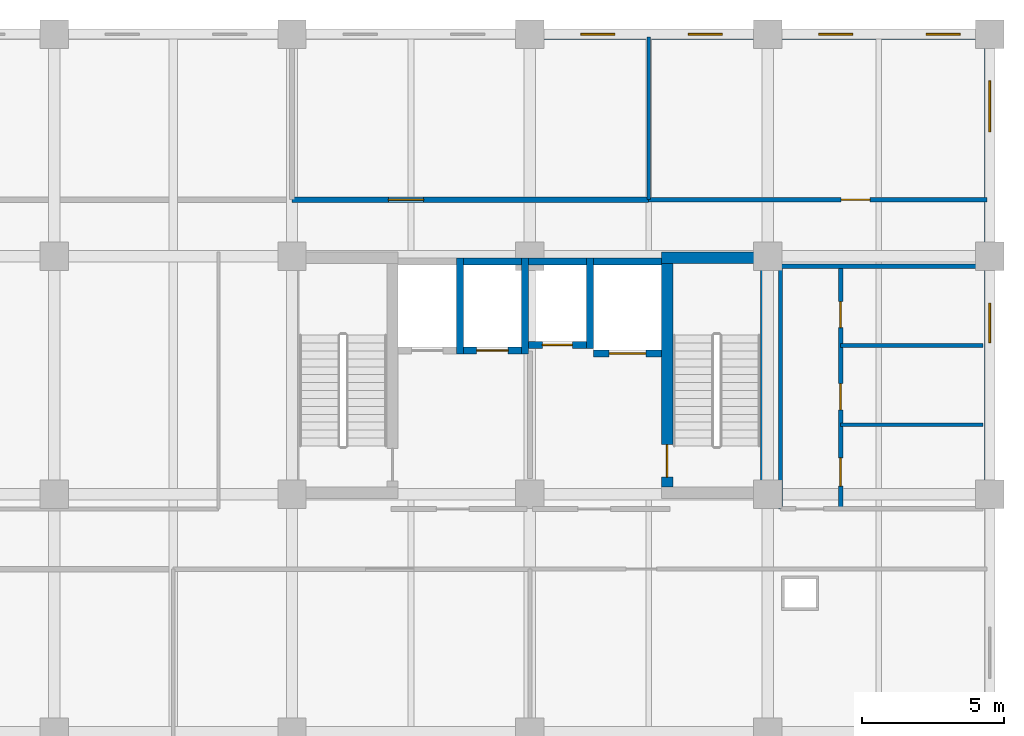
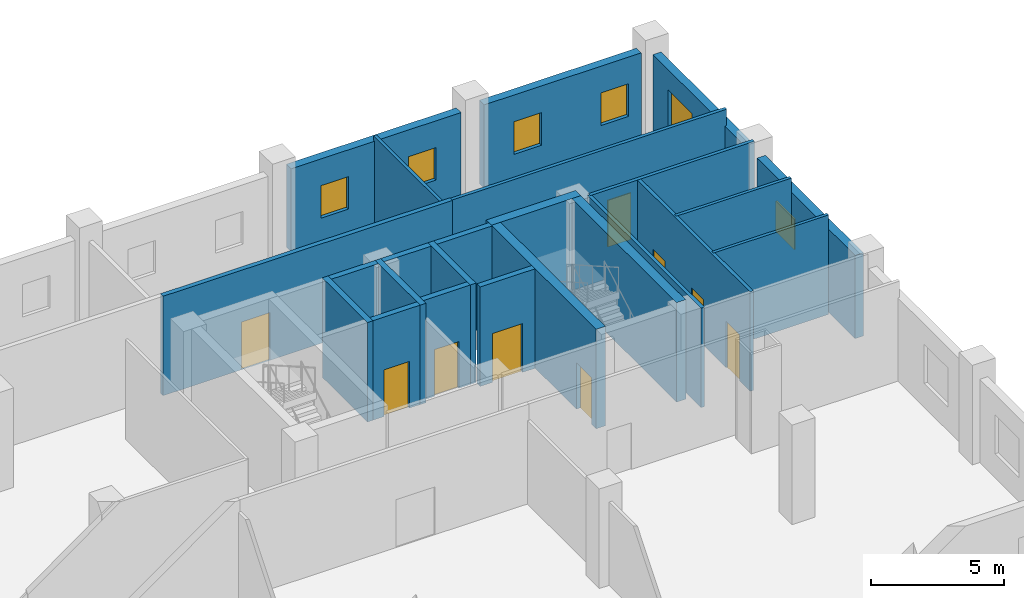
# One storey, part 25 of 31: 24 walls, 9 doors, 6 windows, 15 openings.
"""IFC4 building model written with IfcOpenShell, lengths in metres."""

import ifcopenshell
import ifcopenshell.guid

model = None  # the IFC model being written
_history = None  # IfcOwnerHistory: only IFC2X3 demands one
_inside = {}  # id of a spatial element -> (the spatial element, [elements in it])
_under = {}  # id of a project, library or spatial element -> (it, [spatial elements below it])
_declared = {}  # id of a project -> (the project, [libraries it declares])
_typed = {}  # id of a type object -> (the type object, [elements of that type])
_made_of = {}  # id of a material, layer set ... -> (it, [elements and type objects made of it])


def new_model(schema):
    """Start an empty IFC model of exactly this schema.

    Asked for "IFC4X3", IfcOpenShell would pick the latest addendum, in which some entities
    have other attributes; the version numbers below select the first issue.
    IFC2X3 requires an IfcOwnerHistory on every rooted entity: one is made here for all.
    """
    global model, _history
    if schema == "IFC4X3":
        model = ifcopenshell.file(schema_version=(4, 3, 0, 0))
    else:
        model = ifcopenshell.file(schema=schema)
    _inside.clear()
    _under.clear()
    _declared.clear()
    _typed.clear()
    _made_of.clear()
    _history = None
    if model.schema == "IFC2X3":
        org = make("IfcOrganization", Name="unknown")
        user = make(
            "IfcPersonAndOrganization",
            ThePerson=make("IfcPerson", FamilyName="unknown"),
            TheOrganization=org,
        )
        app = make(
            "IfcApplication",
            ApplicationDeveloper=org,
            Version="unknown",
            ApplicationFullName="unknown",
            ApplicationIdentifier="unknown",
        )
        _history = make(
            "IfcOwnerHistory",
            OwningUser=user,
            OwningApplication=app,
            ChangeAction="ADDED",
            CreationDate=0,
        )
    return model


def make(cls, **values):
    """One entity of the class cls with the attributes given. An attribute that is None is left unset."""
    return model.create_entity(
        cls, **{name: value for name, value in values.items() if value is not None}
    )


def rooted(cls, **values):
    """An entity with a GlobalId (a new one), such as an element, a storey or a relation."""
    return make(cls, GlobalId=ifcopenshell.guid.new(), OwnerHistory=_history, **values)


def si_unit(unit_type, name, prefix=None):
    """IfcSIUnit, for example si_unit("LENGTHUNIT", "METRE", prefix="MILLI")."""
    return make("IfcSIUnit", UnitType=unit_type, Prefix=prefix, Name=name)


def assignment(units):
    """IfcUnitAssignment: the units of a project."""
    return None if units is None else make("IfcUnitAssignment", Units=units)


def point(xyz):
    """IfcCartesianPoint."""
    return None if xyz is None else make("IfcCartesianPoint", Coordinates=xyz)


def direction(xyz):
    """IfcDirection."""
    return None if xyz is None else make("IfcDirection", DirectionRatios=xyz)


def frame(location, z_axis=None, x_axis=None):
    """IfcAxis2Placement3D, a coordinate frame: its origin and axes. An axis left out is left unset."""
    return make(
        "IfcAxis2Placement3D",
        Location=point(location),
        Axis=direction(z_axis),
        RefDirection=direction(x_axis),
    )


def frame_2d(location, x_axis=None):
    """IfcAxis2Placement2D, a coordinate frame in the plane: its origin and x axis."""
    return make(
        "IfcAxis2Placement2D", Location=point(location), RefDirection=direction(x_axis)
    )


def origin():
    """The frame at (0, 0, 0) with its axes left unset."""
    return frame((0.0, 0.0, 0.0))


def place(relative_to, where):
    """IfcLocalPlacement: puts the frame where relative to a parent placement (None: the world)."""
    return make(
        "IfcLocalPlacement", PlacementRelTo=relative_to, RelativePlacement=where
    )


def context(
    kind, dimensions, precision=None, world=None, true_north=None, identifier=None
):
    """IfcGeometricRepresentationContext, for example the 3D "Model" context."""
    return make(
        "IfcGeometricRepresentationContext",
        ContextIdentifier=identifier,
        ContextType=kind,
        CoordinateSpaceDimension=dimensions,
        Precision=precision,
        WorldCoordinateSystem=world,
        TrueNorth=true_north,
    )


def subcontext(parent, identifier, kind, view, scale=None):
    """IfcGeometricRepresentationSubContext, for example "Body" below "Model"."""
    return make(
        "IfcGeometricRepresentationSubContext",
        ContextIdentifier=identifier,
        ContextType=kind,
        ParentContext=parent,
        TargetScale=scale,
        TargetView=view,
    )


def project(units=None, contexts=None):
    """IfcProject with its units and contexts."""
    return rooted(
        "IfcProject",
        Name="project",
        RepresentationContexts=contexts,
        UnitsInContext=assignment(units),
    )


def spatial(cls, under=None, at=None, **own):
    """A site, building, storey or space (cls), placed at a placement, below another one or the project."""
    s = rooted(cls, ObjectPlacement=at, **own)
    if under is not None:
        _under.setdefault(under.id(), (under, []))[1].append(s)
    return s


def profile(cls, at=None, kind="AREA", **sizes):
    """A parametric profile (cls). Its sizes go by their IFC names, for example OverallWidth=200.0."""
    return make(cls, ProfileType=kind, Position=at, **sizes)


def rectangle(**sizes):
    """IfcRectangleProfileDef."""
    return profile("IfcRectangleProfileDef", **sizes)


def extrude(swept, where, along, depth):
    """IfcExtrudedAreaSolid: the profile swept, set in the frame where, extruded along a direction by depth."""
    return make(
        "IfcExtrudedAreaSolid",
        SweptArea=swept,
        Position=where,
        ExtrudedDirection=direction(along),
        Depth=depth,
    )


def shape(context_of_items, identifier, shape_type, items):
    """IfcShapeRepresentation: the items that make up one representation, for example the "Body"."""
    return make(
        "IfcShapeRepresentation",
        ContextOfItems=context_of_items,
        RepresentationIdentifier=identifier,
        RepresentationType=shape_type,
        Items=items,
    )


def material(Name=None, Category=None):
    """IfcMaterial."""
    return make("IfcMaterial", Name=Name, Category=Category)


def layer(
    of_material, thickness, ventilated=None, Name=None, Category=None, Priority=None
):
    """IfcMaterialLayer: one layer of a wall or slab, of a material (None: an air gap)."""
    return make(
        "IfcMaterialLayer",
        Material=of_material,
        LayerThickness=thickness,
        IsVentilated=ventilated,
        Name=Name,
        Category=Category,
        Priority=Priority,
    )


def layer_set(layers, Name=None):
    """IfcMaterialLayerSet."""
    return make("IfcMaterialLayerSet", MaterialLayers=layers, LayerSetName=Name)


def made_of(thing, what):
    """Note that an element or type object is made of a material, layer set ...; save() writes the relation."""
    if what is not None:
        _made_of.setdefault(what.id(), (what, []))[1].append(thing)
    return thing


def type_object(cls, material=None, **own):
    """A type object (cls), such as IfcWallType, which elements share."""
    return made_of(rooted(cls, **own), material)


def element(
    cls,
    number,
    at=None,
    inside=None,
    cuts=None,
    type_object=None,
    material=None,
    context=None,
    identifier="Body",
    shape_type=None,
    held_by="IfcProductDefinitionShape",
    body=None,
    shapes=None,
    **own,
):
    """One element of the class cls, such as IfcWall. Its Tag is "e" and its number.

    at: its placement. inside: the storey or other place that contains it. cuts: it is an
    opening in that element (IfcRelVoidsElement). A single representation is given by context,
    identifier, shape_type and body (its items); several are given by shapes. held_by: the class
    of the entity that holds the representations. save() writes the other relations.
    """
    e = rooted(cls, Tag="e%d" % number, ObjectPlacement=at, **own)
    if body is not None:
        shapes = [shape(context, identifier, shape_type, body)]
    if shapes is not None:
        e.Representation = make(held_by, Representations=shapes)
    if inside is not None:
        _inside.setdefault(inside.id(), (inside, []))[1].append(e)
    if cuts is not None:
        rooted(
            "IfcRelVoidsElement", RelatingBuildingElement=cuts, RelatedOpeningElement=e
        )
    if type_object is not None:
        _typed.setdefault(type_object.id(), (type_object, []))[1].append(e)
    return made_of(e, material)


def fill(opening, filler):
    """IfcRelFillsElement: the door or window that sits in an opening."""
    return rooted(
        "IfcRelFillsElement",
        RelatingOpeningElement=opening,
        RelatedBuildingElement=filler,
    )


def aggregate(whole, parts):
    """IfcRelAggregates: a whole, such as a stair, and the parts it consists of."""
    return rooted("IfcRelAggregates", RelatingObject=whole, RelatedObjects=parts)


def save(model, path):
    """Write the relations noted so far, then the file.

    IfcRelAggregates (storeys below a building ...), IfcRelContainedInSpatialStructure (elements
    in a storey), IfcRelDefinesByType, IfcRelAssociatesMaterial and IfcRelDeclares: one each for
    every whole, place, type object, material and project.
    """
    for whole, parts in _under.values():
        aggregate(whole, parts)
    for where, things in _inside.values():
        rooted(
            "IfcRelContainedInSpatialStructure",
            RelatedElements=things,
            RelatingStructure=where,
        )
    for kind, things in _typed.values():
        rooted("IfcRelDefinesByType", RelatedObjects=things, RelatingType=kind)
    for what, things in _made_of.values():
        rooted("IfcRelAssociatesMaterial", RelatedObjects=things, RelatingMaterial=what)
    for by, libraries in _declared.values():
        rooted("IfcRelDeclares", RelatingContext=by, RelatedDefinitions=libraries)
    model.write(path)


model = new_model("IFC4")

# Units and contexts
model_context = context("Model", 3, precision=1e-05, world=origin(), true_north=direction((0.0, 1.0)))
body_context = subcontext(model_context, "Body", "Model", "MODEL_VIEW")
ifc_project = project(units=[si_unit("LENGTHUNIT", "METRE"), si_unit("AREAUNIT", "SQUARE_METRE"), si_unit("VOLUMEUNIT", "CUBIC_METRE"), si_unit("PLANEANGLEUNIT", "RADIAN"), si_unit("MASSUNIT", "GRAM", prefix="KILO")], contexts=[model_context])

# Site, building, storey
site_placement = place(None, origin())
site = spatial("IfcSite", under=ifc_project, at=site_placement, CompositionType="ELEMENT")
building_placement = place(site_placement, origin())
building = spatial("IfcBuilding", under=site, at=building_placement, Name="Brinegate Botanical Conservatory", CompositionType="ELEMENT")
storey_placement = place(building_placement, frame((0.0, 0.0, 5.39990234375)))
storey = spatial("IfcBuildingStorey", under=building, at=storey_placement, Name="L02", CompositionType="ELEMENT", Elevation=5.39990234375)

# Wall, openings, windows
ifc_material_1 = material(Name="Insulated Minnan red clay brick masonry", Category="masonry")
ifc_layer_1 = layer(ifc_material_1, 0.360107421875, Name="Insulated Minnan red clay brick masonry", Category="masonry")
ifc_layer_set_1 = layer_set([ifc_layer_1], Name="Insulated Minnan red clay brick masonry")
wall_type_1 = type_object("IfcWallType", Name="Wall_EW-360B", PredefinedType="STANDARD", material=ifc_layer_set_1)
wall_1_placement = place(storey_placement, frame((147.699951171875, 111.449951171875, 0.0), z_axis=(0.0, 0.0, 1.0), x_axis=(1.0, 0.0, 0.0)))
wall_1 = element("IfcWall", 1, at=wall_1_placement, inside=storey, type_object=wall_type_1, Name="Herbarium north insulated red-brick wall L02.4", PredefinedType="STANDARD", context=body_context, shape_type="SweptSolid", body=[
    extrude(rectangle(XDim=7.400146484375, YDim=0.360107421875, at=frame_2d((3.7001953125, 0.0))), origin(), (0.0, 0.0, 1.0), 3.830078125),
])
opening_1_placement = place(wall_1_placement, frame((1.300048828125, 0.0, 1.10009765625)))
opening_1 = element("IfcOpeningElement", 2, at=opening_1_placement, cuts=wall_1, Name="Opening WN-07", PredefinedType="OPENING", context=body_context, shape_type="SweptSolid", body=[
    extrude(rectangle(XDim=1.199951171875, YDim=1.5, at=frame_2d((0.60009765625, 0.75))), frame((0.0, 0.18994140625, 0.0), z_axis=(0.0, -1.0, 0.0), x_axis=(1.0, 0.0, 0.0)), (0.0, 0.0, 1.0), 0.380126953125),
])
opening_2_placement = place(wall_1_placement, frame((5.10009765625, 0.0, 1.10009765625)))
opening_2 = element("IfcOpeningElement", 3, at=opening_2_placement, cuts=wall_1, Name="Opening WN-07", PredefinedType="OPENING", context=body_context, shape_type="SweptSolid", body=[
    extrude(rectangle(XDim=1.199951171875, YDim=1.5, at=frame_2d((0.60009765625, 0.75))), frame((0.0, 0.18994140625, 0.0), z_axis=(0.0, -1.0, 0.0), x_axis=(1.0, 0.0, 0.0)), (0.0, 0.0, 1.0), 0.380126953125),
])
ifc_material_2 = material(Name="Thermally broken aluminium-framed Low-E glass", Category="aluminium")
window_type_1 = type_object("IfcWindowType", Name="Win_WN-07", PartitioningType="SINGLE_PANEL", PredefinedType="WINDOW", material=ifc_material_2)
window_1_placement = place(opening_1_placement, origin())
window_1 = element("IfcWindow", 4, at=window_1_placement, inside=storey, type_object=window_type_1, Name="Herbarium north UV-filtered window L02.4A", OverallHeight=1.5, OverallWidth=1.199951171875, PartitioningType="SINGLE_PANEL", PredefinedType="WINDOW", context=body_context, shape_type="SweptSolid", body=[
    extrude(rectangle(XDim=1.199951171875, YDim=1.5, at=frame_2d((0.60009765625, 0.75))), frame((0.0, 0.030029296875, 0.0), z_axis=(0.0, -1.0, 0.0), x_axis=(1.0, 0.0, 0.0)), (0.0, 0.0, 1.0), 0.06005859375),
])
fill(opening_1, window_1)
window_2_placement = place(opening_2_placement, origin())
window_2 = element("IfcWindow", 5, at=window_2_placement, inside=storey, type_object=window_type_1, Name="Herbarium north UV-filtered window L02.4B", OverallHeight=1.5, OverallWidth=1.199951171875, PartitioningType="SINGLE_PANEL", PredefinedType="WINDOW", context=body_context, shape_type="SweptSolid", body=[
    extrude(rectangle(XDim=1.199951171875, YDim=1.5, at=frame_2d((0.60009765625, 0.75))), frame((0.0, 0.030029296875, 0.0), z_axis=(0.0, -1.0, 0.0), x_axis=(1.0, 0.0, 0.0)), (0.0, 0.0, 1.0), 0.06005859375),
])
fill(opening_2, window_2)

wall_2_placement = place(storey_placement, frame((156.10009765625, 111.449951171875, 0.0), z_axis=(0.0, 0.0, 1.0), x_axis=(1.0, 0.0, 0.0)))
wall_2 = element("IfcWall", 6, at=wall_2_placement, inside=storey, type_object=wall_type_1, Name="Herbarium north insulated red-brick wall L02.5", PredefinedType="STANDARD", context=body_context, shape_type="SweptSolid", body=[
    extrude(rectangle(XDim=6.849853515625, YDim=0.360107421875, at=frame_2d((3.4248046875, 0.0))), origin(), (0.0, 0.0, 1.0), 3.830078125),
])
opening_3_placement = place(wall_2_placement, frame((1.300048828125, 0.0, 1.10009765625)))
opening_3 = element("IfcOpeningElement", 7, at=opening_3_placement, cuts=wall_2, Name="Opening WN-07", PredefinedType="OPENING", context=body_context, shape_type="SweptSolid", body=[
    extrude(rectangle(XDim=1.199951171875, YDim=1.5, at=frame_2d((0.60009765625, 0.75))), frame((0.0, 0.18994140625, 0.0), z_axis=(0.0, -1.0, 0.0), x_axis=(1.0, 0.0, 0.0)), (0.0, 0.0, 1.0), 0.380126953125),
])
opening_4_placement = place(wall_2_placement, frame((5.10009765625, 0.0, 1.10009765625)))
opening_4 = element("IfcOpeningElement", 8, at=opening_4_placement, cuts=wall_2, Name="Opening WN-07", PredefinedType="OPENING", context=body_context, shape_type="SweptSolid", body=[
    extrude(rectangle(XDim=1.199951171875, YDim=1.5, at=frame_2d((0.60009765625, 0.75))), frame((0.0, 0.18994140625, 0.0), z_axis=(0.0, -1.0, 0.0), x_axis=(1.0, 0.0, 0.0)), (0.0, 0.0, 1.0), 0.380126953125),
])
window_3_placement = place(opening_3_placement, origin())
window_3 = element("IfcWindow", 9, at=window_3_placement, inside=storey, type_object=window_type_1, Name="Herbarium north UV-filtered window L02.5A", OverallHeight=1.5, OverallWidth=1.199951171875, PartitioningType="SINGLE_PANEL", PredefinedType="WINDOW", context=body_context, shape_type="SweptSolid", body=[
    extrude(rectangle(XDim=1.199951171875, YDim=1.5, at=frame_2d((0.60009765625, 0.75))), frame((0.0, 0.030029296875, 0.0), z_axis=(0.0, -1.0, 0.0), x_axis=(1.0, 0.0, 0.0)), (0.0, 0.0, 1.0), 0.06005859375),
])
fill(opening_3, window_3)
window_4_placement = place(opening_4_placement, origin())
window_4 = element("IfcWindow", 10, at=window_4_placement, inside=storey, type_object=window_type_1, Name="Herbarium north UV-filtered window L02.5B", OverallHeight=1.5, OverallWidth=1.199951171875, PartitioningType="SINGLE_PANEL", PredefinedType="WINDOW", context=body_context, shape_type="SweptSolid", body=[
    extrude(rectangle(XDim=1.199951171875, YDim=1.5, at=frame_2d((0.60009765625, 0.75))), frame((0.0, 0.030029296875, 0.0), z_axis=(0.0, -1.0, 0.0), x_axis=(1.0, 0.0, 0.0)), (0.0, 0.0, 1.0), 0.06005859375),
])
fill(opening_4, window_4)

# Wall, opening, window
wall_3_placement = place(storey_placement, frame((163.449951171875, 103.10009765625, 0.0), z_axis=(0.0, 0.0, 1.0), x_axis=(0.0, -1.0, 0.0)))
wall_3 = element("IfcWall", 11, at=wall_3_placement, inside=storey, type_object=wall_type_1, Name="Tower east brick wall L02.3", PredefinedType="STANDARD", context=body_context, shape_type="SweptSolid", body=[
    extrude(rectangle(XDim=7.400146484375, YDim=0.360107421875, at=frame_2d((3.7001953125, 0.0))), origin(), (0.0, 0.0, 1.0), 3.830078125),
])
opening_5_placement = place(wall_3_placement, frame((1.14990234375, 0.0, 1.10009765625)))
opening_5 = element("IfcOpeningElement", 12, at=opening_5_placement, cuts=wall_3, Name="Opening WN-16", PredefinedType="OPENING", context=body_context, shape_type="SweptSolid", body=[
    extrude(rectangle(XDim=1.39990234375, YDim=1.39990234375, at=frame_2d((0.699951171875, 0.699951171875))), frame((0.0, 0.18994140625, 0.0), z_axis=(0.0, -1.0, 0.0), x_axis=(1.0, 0.0, 0.0)), (0.0, 0.0, 1.0), 0.380126953125),
])
window_type_2 = type_object("IfcWindowType", Name="Win_WN-16", PartitioningType="SINGLE_PANEL", PredefinedType="WINDOW", material=ifc_material_2)
window_5_placement = place(opening_5_placement, origin())
window_5 = element("IfcWindow", 13, at=window_5_placement, inside=storey, type_object=window_type_2, Name="Tower east window L02.3", OverallHeight=1.39990234375, OverallWidth=1.39990234375, PartitioningType="SINGLE_PANEL", PredefinedType="WINDOW", context=body_context, shape_type="SweptSolid", body=[
    extrude(rectangle(XDim=1.39990234375, YDim=1.39990234375, at=frame_2d((0.699951171875, 0.699951171875))), frame((0.0, 0.030029296875, 0.0), z_axis=(0.0, -1.0, 0.0), x_axis=(1.0, 0.0, 0.0)), (0.0, 0.0, 1.0), 0.06005859375),
])
fill(opening_5, window_5)

wall_4_placement = place(storey_placement, frame((163.449951171875, 110.949951171875, 0.0), z_axis=(0.0, 0.0, 1.0), x_axis=(0.0, -1.0, 0.0)))
wall_4 = element("IfcWall", 14, at=wall_4_placement, inside=storey, type_object=wall_type_1, Name="Tower east brick wall L02.4", PredefinedType="STANDARD", context=body_context, shape_type="SweptSolid", body=[
    extrude(rectangle(XDim=6.849853515625, YDim=0.360107421875, at=frame_2d((3.4248046875, 0.0))), origin(), (0.0, 0.0, 1.0), 3.830078125),
])
opening_6_placement = place(wall_4_placement, frame((1.14990234375, 0.0, 1.10009765625)))
opening_6 = element("IfcOpeningElement", 15, at=opening_6_placement, cuts=wall_4, Name="Opening WN-05", PredefinedType="OPENING", context=body_context, shape_type="SweptSolid", body=[
    extrude(rectangle(XDim=1.800048828125, YDim=1.800048828125, at=frame_2d((0.89990234375, 0.89990234375))), frame((0.0, 0.18994140625, 0.0), z_axis=(0.0, -1.0, 0.0), x_axis=(1.0, 0.0, 0.0)), (0.0, 0.0, 1.0), 0.380126953125),
])
window_type_3 = type_object("IfcWindowType", Name="Win_WN-05", PartitioningType="DOUBLE_PANEL_VERTICAL", PredefinedType="WINDOW", material=ifc_material_2)
window_6_placement = place(opening_6_placement, origin())
window_6 = element("IfcWindow", 16, at=window_6_placement, inside=storey, type_object=window_type_3, Name="Tower east window L02.4", OverallHeight=1.800048828125, OverallWidth=1.800048828125, PartitioningType="DOUBLE_PANEL_VERTICAL", PredefinedType="WINDOW", context=body_context, shape_type="SweptSolid", body=[
    extrude(rectangle(XDim=1.800048828125, YDim=1.800048828125, at=frame_2d((0.89990234375, 0.89990234375))), frame((0.0, 0.030029296875, 0.0), z_axis=(0.0, -1.0, 0.0), x_axis=(1.0, 0.0, 0.0)), (0.0, 0.0, 1.0), 0.06005859375),
])
fill(opening_6, window_6)

# Walls
ifc_material_3 = material(Name="Gypsum-clad steel-stud partition", Category="steel")
ifc_layer_2 = layer(ifc_material_3, 0.135009765625, Name="Gypsum-clad steel-stud partition", Category="steel")
ifc_layer_set_2 = layer_set([ifc_layer_2], Name="Gypsum-clad steel-stud partition")
wall_type_2 = type_object("IfcWallType", Name="Wall_PW-135", PredefinedType="PARTITIONING", material=ifc_layer_set_2)
for number, where, z_axis, x_axis, name in (
    (17, (158.179931640625, 97.64990234375, 0.0), (0.0, 0.0, 1.0), (1.0, 0.0, 0.0), "Interior partition P-L02-WCD-9765"),
    (18, (158.179931640625, 100.449951171875, 0.0), (0.0, 0.0, 1.0), (1.0, 0.0, 0.0), "Interior partition P-L02-WCD-10045"),
):
    element("IfcWall", number, at=place(storey_placement, frame(where, z_axis=z_axis, x_axis=x_axis)), inside=storey, type_object=wall_type_2, Name=name, PredefinedType="PARTITIONING", context=body_context, shape_type="SweptSolid", body=[
        extrude(rectangle(XDim=5.02001953125, YDim=0.135009765625, at=frame_2d((2.510009765625, 0.0))), origin(), (0.0, 0.0, 1.0), 4.580078125),
    ])
wall_5_placement = place(storey_placement, frame((151.39990234375, 105.60009765625, 0.0), z_axis=(0.0, 0.0, 1.0), x_axis=(0.0, 1.0, 0.0)))
element("IfcWall", 19, at=wall_5_placement, inside=storey, type_object=wall_type_2, Name="Interior partition P-L02-NDIV-N3", PredefinedType="PARTITIONING", context=body_context, shape_type="SweptSolid", body=[
    extrude(rectangle(XDim=5.75, YDim=0.135009765625, at=frame_2d((2.875, 0.0))), origin(), (0.0, 0.0, 1.0), 4.030029296875),
])

# Wall, opening, door
ifc_material_4 = material(Name="Gypsum-clad acoustic steel-stud partition", Category="steel")
ifc_layer_3 = layer(ifc_material_4, 0.14501953125, Name="Gypsum-clad acoustic steel-stud partition", Category="steel")
ifc_layer_set_3 = layer_set([ifc_layer_3], Name="Gypsum-clad acoustic steel-stud partition")
wall_type_3 = type_object("IfcWallType", Name="Wall_PW-150", PredefinedType="PARTITIONING", material=ifc_layer_set_3)
wall_6_placement = place(storey_placement, frame((151.39990234375, 105.60009765625, 0.0), z_axis=(0.0, 0.0, 1.0), x_axis=(1.0, 0.0, 0.0)))
wall_6 = element("IfcWall", 20, at=wall_6_placement, inside=storey, type_object=wall_type_3, Name="Interior partition P-L02-NB-N3", PredefinedType="PARTITIONING", context=body_context, shape_type="SweptSolid", body=[
    extrude(rectangle(XDim=11.9501953125, YDim=0.14501953125, at=frame_2d((5.97509765625, 0.0))), origin(), (0.0, 0.0, 1.0), 4.580078125),
])
opening_7_placement = place(wall_6_placement, frame((6.800048828125, 0.0, 0.0)))
opening_7 = element("IfcOpeningElement", 21, at=opening_7_placement, cuts=wall_6, Name="Opening DR-02", PredefinedType="OPENING", context=body_context, shape_type="SweptSolid", body=[
    extrude(rectangle(XDim=1.02001953125, YDim=2.14990234375, at=frame_2d((0.510009765625, 1.074951171875))), frame((0.0, 0.08251953125, 0.0), z_axis=(0.0, -1.0, 0.0), x_axis=(1.0, 0.0, 0.0)), (0.0, 0.0, 1.0), 0.1650390625),
])
ifc_material_5 = material(Name="Phenolic-faced laboratory timber leaf", Category="wood")
door_type_1 = type_object("IfcDoorType", Name="Door_DR-02", OperationType="NOTDEFINED", PredefinedType="DOOR", material=ifc_material_5)
door_1_placement = place(opening_7_placement, origin())
door_1 = element("IfcDoor", 22, at=door_1_placement, inside=storey, type_object=door_type_1, Name="DR-P-L02-NB-N3-1", OperationType="SINGLE_SWING_LEFT", OverallHeight=2.14990234375, OverallWidth=1.02001953125, PredefinedType="DOOR", context=body_context, shape_type="SweptSolid", body=[
    extrude(rectangle(XDim=1.02001953125, YDim=2.14990234375, at=frame_2d((0.510009765625, 1.074951171875))), frame((0.0, 0.02490234375, 0.0), z_axis=(0.0, -1.0, 0.0), x_axis=(1.0, 0.0, 0.0)), (0.0, 0.0, 1.0), 0.050048828125),
])
fill(opening_7, door_1)

# Wall, openings, doors
ifc_material_6 = material(Name="Moisture-resistant cement-board partition", Category="gypsum")
ifc_layer_4 = layer(ifc_material_6, 0.14990234375, Name="Moisture-resistant cement-board partition", Category="gypsum")
ifc_layer_set_4 = layer_set([ifc_layer_4], Name="Moisture-resistant cement-board partition")
wall_type_4 = type_object("IfcWallType", Name="Wall_PW-150W", PredefinedType="PARTITIONING", material=ifc_layer_set_4)
wall_7_placement = place(storey_placement, frame((158.179931640625, 94.679931640625, 0.0), z_axis=(0.0, 0.0, 1.0), x_axis=(0.0, 1.0, 0.0)))
wall_7 = element("IfcWall", 23, at=wall_7_placement, inside=storey, type_object=wall_type_4, Name="Interior partition P-L02-WCW", PredefinedType="PARTITIONING", context=body_context, shape_type="SweptSolid", body=[
    extrude(rectangle(XDim=8.570068359375, YDim=0.14990234375, at=frame_2d((4.28515625, 0.0))), origin(), (0.0, 0.0, 1.0), 4.580078125),
])
opening_8_placement = place(wall_7_placement, frame((0.800048828125, 0.0, 0.0)))
opening_8 = element("IfcOpeningElement", 24, at=opening_8_placement, cuts=wall_7, Name="Opening DR-ACC", PredefinedType="OPENING", context=body_context, shape_type="SweptSolid", body=[
    extrude(rectangle(XDim=1.0, YDim=2.1201171875, at=frame_2d((0.5, 1.06005859375))), frame((0.0, 0.0849609375, 0.0), z_axis=(0.0, -1.0, 0.0), x_axis=(1.0, 0.0, 0.0)), (0.0, 0.0, 1.0), 0.169921875),
])
opening_9_placement = place(wall_7_placement, frame((3.5, 0.0, 0.0)))
opening_9 = element("IfcOpeningElement", 25, at=opening_9_placement, cuts=wall_7, Name="Opening DR-04", PredefinedType="OPENING", context=body_context, shape_type="SweptSolid", body=[
    extrude(rectangle(XDim=0.919921875, YDim=2.10009765625, at=frame_2d((0.4599609375, 1.050048828125))), frame((0.0, 0.0849609375, 0.0), z_axis=(0.0, -1.0, 0.0), x_axis=(1.0, 0.0, 0.0)), (0.0, 0.0, 1.0), 0.169921875),
])
opening_10_placement = place(wall_7_placement, frame((6.39990234375, 0.0, 0.0)))
opening_10 = element("IfcOpeningElement", 26, at=opening_10_placement, cuts=wall_7, Name="Opening DR-04", PredefinedType="OPENING", context=body_context, shape_type="SweptSolid", body=[
    extrude(rectangle(XDim=0.919921875, YDim=2.10009765625, at=frame_2d((0.4599609375, 1.050048828125))), frame((0.0, 0.0849609375, 0.0), z_axis=(0.0, -1.0, 0.0), x_axis=(1.0, 0.0, 0.0)), (0.0, 0.0, 1.0), 0.169921875),
])
ifc_material_7 = material(Name="Moisture-resistant laminate timber leaf", Category="wood")
door_type_2 = type_object("IfcDoorType", Name="Door_DR-04", OperationType="NOTDEFINED", PredefinedType="DOOR", material=ifc_material_7)
door_2_placement = place(opening_9_placement, origin())
door_2 = element("IfcDoor", 27, at=door_2_placement, inside=storey, type_object=door_type_2, Name="DR-P-L02-WCW-2", OperationType="SINGLE_SWING_RIGHT", OverallHeight=2.10009765625, OverallWidth=0.919921875, PredefinedType="DOOR", context=body_context, shape_type="SweptSolid", body=[
    extrude(rectangle(XDim=0.919921875, YDim=2.10009765625, at=frame_2d((0.4599609375, 1.050048828125))), frame((0.0, 0.02490234375, 0.0), z_axis=(0.0, -1.0, 0.0), x_axis=(1.0, 0.0, 0.0)), (0.0, 0.0, 1.0), 0.050048828125),
])
fill(opening_9, door_2)
door_3_placement = place(opening_10_placement, origin())
door_3 = element("IfcDoor", 28, at=door_3_placement, inside=storey, type_object=door_type_2, Name="DR-P-L02-WCW-3", OperationType="SINGLE_SWING_LEFT", OverallHeight=2.10009765625, OverallWidth=0.919921875, PredefinedType="DOOR", context=body_context, shape_type="SweptSolid", body=[
    extrude(rectangle(XDim=0.919921875, YDim=2.10009765625, at=frame_2d((0.4599609375, 1.050048828125))), frame((0.0, 0.02490234375, 0.0), z_axis=(0.0, -1.0, 0.0), x_axis=(1.0, 0.0, 0.0)), (0.0, 0.0, 1.0), 0.050048828125),
])
fill(opening_10, door_3)
ifc_material_8 = material(Name="Moisture-resistant barrier-free timber leaf", Category="wood")
door_type_3 = type_object("IfcDoorType", Name="Door_DR-ACC", OperationType="NOTDEFINED", PredefinedType="DOOR", material=ifc_material_8)
door_4_placement = place(opening_8_placement, origin())
door_4 = element("IfcDoor", 29, at=door_4_placement, inside=storey, type_object=door_type_3, Name="DR-P-L02-WCW-1", OperationType="SINGLE_SWING_LEFT", OverallHeight=2.1201171875, OverallWidth=1.0, PredefinedType="DOOR", context=body_context, shape_type="SweptSolid", body=[
    extrude(rectangle(XDim=1.0, YDim=2.1201171875, at=frame_2d((0.5, 1.06005859375))), frame((0.0, 0.02490234375, 0.0), z_axis=(0.0, -1.0, 0.0), x_axis=(1.0, 0.0, 0.0)), (0.0, 0.0, 1.0), 0.050048828125),
])
fill(opening_8, door_4)

# Walls
wall_8_placement = place(storey_placement, frame((156.050048828125, 103.25, 0.0), z_axis=(0.0, 0.0, 1.0), x_axis=(1.0, 0.0, 0.0)))
element("IfcWall", 30, at=wall_8_placement, inside=storey, type_object=wall_type_4, Name="Interior partition P-L02-WCN", PredefinedType="PARTITIONING", context=body_context, shape_type="SweptSolid", body=[
    extrude(rectangle(XDim=7.14990234375, YDim=0.14990234375, at=frame_2d((3.574951171875, 0.0))), origin(), (0.0, 0.0, 1.0), 4.580078125),
])
wall_9_placement = place(storey_placement, frame((156.050048828125, 94.679931640625, 0.0), z_axis=(0.0, 0.0, 1.0), x_axis=(0.0, 1.0, 0.0)))
element("IfcWall", 31, at=wall_9_placement, inside=storey, type_object=wall_type_4, Name="Interior partition P-L02-WCWW", PredefinedType="PARTITIONING", context=body_context, shape_type="SweptSolid", body=[
    extrude(rectangle(XDim=8.570068359375, YDim=0.14990234375, at=frame_2d((4.28515625, 0.0))), origin(), (0.0, 0.0, 1.0), 4.580078125),
])

# Wall, opening, door
ifc_material_9 = material(Name="Autoclaved aerated concrete C40/50 blockwork", Category="masonry")
ifc_layer_5 = layer(ifc_material_9, 0.199951171875, Name="Autoclaved aerated concrete C40/50 blockwork", Category="masonry")
ifc_layer_set_5 = layer_set([ifc_layer_5], Name="Autoclaved aerated concrete C40/50 blockwork")
wall_type_5 = type_object("IfcWallType", Name="Wall_PW-200F", PredefinedType="SOLIDWALL", material=ifc_layer_set_5)
wall_10_placement = place(storey_placement, frame((138.800048828125, 105.60009765625, 0.0), z_axis=(0.0, 0.0, 1.0), x_axis=(1.0, 0.0, 0.0)))
wall_10 = element("IfcWall", 32, at=wall_10_placement, inside=storey, type_object=wall_type_5, Name="Interior partition P-L02-NB-N2", PredefinedType="SOLIDWALL", context=body_context, shape_type="SweptSolid", body=[
    extrude(rectangle(XDim=12.599853515625, YDim=0.199951171875, at=frame_2d((6.2998046875, 0.0))), origin(), (0.0, 0.0, 1.0), 4.580078125),
])
opening_11_placement = place(wall_10_placement, frame((3.39990234375, 0.0, 0.0)))
opening_11 = element("IfcOpeningElement", 33, at=opening_11_placement, cuts=wall_10, Name="Opening FD-A1", PredefinedType="OPENING", context=body_context, shape_type="SweptSolid", body=[
    extrude(rectangle(XDim=1.25, YDim=2.199951171875, at=frame_2d((0.625, 1.10009765625))), frame((0.0, 0.10986328125, 0.0), z_axis=(0.0, -1.0, 0.0), x_axis=(1.0, 0.0, 0.0)), (0.0, 0.0, 1.0), 0.219970703125),
])
ifc_material_10 = material(Name="Steel fire-rated assembly", Category="steel")
door_type_4 = type_object("IfcDoorType", Name="Door_FD-A1", OperationType="NOTDEFINED", PredefinedType="DOOR", material=ifc_material_10)
door_5_placement = place(opening_11_placement, origin())
door_5 = element("IfcDoor", 34, at=door_5_placement, inside=storey, type_object=door_type_4, Name="DR-P-L02-NB-N2-1", OperationType="SINGLE_SWING_RIGHT", OverallHeight=2.199951171875, OverallWidth=1.25, PredefinedType="DOOR", context=body_context, shape_type="SweptSolid", body=[
    extrude(rectangle(XDim=1.25, YDim=2.199951171875, at=frame_2d((0.625, 1.10009765625))), frame((0.0, 0.02490234375, 0.0), z_axis=(0.0, -1.0, 0.0), x_axis=(1.0, 0.0, 0.0)), (0.0, 0.0, 1.0), 0.050048828125),
])
fill(opening_11, door_5)

# Wall
ifc_material_11 = material(Name="Concrete C40/50", Category="concrete")
ifc_layer_6 = layer(ifc_material_11, 0.25, Name="Concrete C40/50", Category="concrete")
ifc_layer_set_6 = layer_set([ifc_layer_6], Name="Concrete C40/50")
wall_type_6 = type_object("IfcWallType", Name="Wall_SW-250", PredefinedType="SHEAR", material=ifc_layer_set_6)
wall_11_placement = place(storey_placement, frame((144.72509765625, 100.14990234375, 0.0), z_axis=(0.0, 0.0, 1.0), x_axis=(0.0, 1.0, 0.0)))
element("IfcWall", 35, at=wall_11_placement, inside=storey, type_object=wall_type_6, Name="Lift shaft LF1 shear wall L02 E", PredefinedType="SHEAR", context=body_context, shape_type="SweptSolid", body=[
    extrude(rectangle(XDim=3.400146484375, YDim=0.25, at=frame_2d((1.7001953125, 0.0))), origin(), (0.0, 0.0, 1.0), 4.580078125),
])

# Wall, opening, door
wall_12_placement = place(storey_placement, frame((144.85009765625, 100.27490234375, 0.0), z_axis=(0.0, 0.0, 1.0), x_axis=(1.0, 0.0, 0.0)))
wall_12 = element("IfcWall", 36, at=wall_12_placement, inside=storey, type_object=wall_type_6, Name="Lift shaft LF2 shear wall L02 S", PredefinedType="SHEAR", context=body_context, shape_type="SweptSolid", body=[
    extrude(rectangle(XDim=2.0498046875, YDim=0.25, at=frame_2d((1.02490234375, 0.0))), origin(), (0.0, 0.0, 1.0), 4.580078125),
])
opening_12_placement = place(wall_12_placement, frame((0.465087890625, 0.0, 0.0)))
opening_12 = element("IfcOpeningElement", 37, at=opening_12_placement, cuts=wall_12, Name="Opening LD-02", PredefinedType="OPENING", context=body_context, shape_type="SweptSolid", body=[
    extrude(rectangle(XDim=1.1201171875, YDim=2.14990234375, at=frame_2d((0.56005859375, 1.074951171875))), frame((0.0, 0.135009765625, 0.0), z_axis=(0.0, -1.0, 0.0), x_axis=(1.0, 0.0, 0.0)), (0.0, 0.0, 1.0), 0.27001953125),
])
ifc_material_12 = material(Name="Brushed stainless steel S355 landing door", Category="steel")
door_type_5 = type_object("IfcDoorType", Name="Door_LD-02", OperationType="SLIDING_TO_LEFT", PredefinedType="DOOR", material=ifc_material_12)
door_6_placement = place(opening_12_placement, origin())
door_6 = element("IfcDoor", 38, at=door_6_placement, inside=storey, type_object=door_type_5, Name="LD-LF2-L02", OperationType="SLIDING_TO_LEFT", OverallHeight=2.14990234375, OverallWidth=1.1201171875, PredefinedType="DOOR", context=body_context, shape_type="SweptSolid", body=[
    extrude(rectangle(XDim=1.1201171875, YDim=2.14990234375, at=frame_2d((0.56005859375, 1.074951171875))), frame((0.0, 0.02490234375, 0.0), z_axis=(0.0, -1.0, 0.0), x_axis=(1.0, 0.0, 0.0)), (0.0, 0.0, 1.0), 0.050048828125),
])
fill(opening_12, door_6)

# Walls
wall_13_placement = place(storey_placement, frame((144.85009765625, 103.425048828125, 0.0), z_axis=(0.0, 0.0, 1.0), x_axis=(1.0, 0.0, 0.0)))
element("IfcWall", 39, at=wall_13_placement, inside=storey, type_object=wall_type_6, Name="Lift shaft LF2 shear wall L02 N", PredefinedType="SHEAR", context=body_context, shape_type="SweptSolid", body=[
    extrude(rectangle(XDim=2.0498046875, YDim=0.25, at=frame_2d((1.02490234375, 0.0))), origin(), (0.0, 0.0, 1.0), 4.580078125),
])
wall_14_placement = place(storey_placement, frame((147.02490234375, 100.14990234375, 0.0), z_axis=(0.0, 0.0, 1.0), x_axis=(0.0, 1.0, 0.0)))
element("IfcWall", 40, at=wall_14_placement, inside=storey, type_object=wall_type_6, Name="Lift shaft LF2 shear wall L02 E", PredefinedType="SHEAR", context=body_context, shape_type="SweptSolid", body=[
    extrude(rectangle(XDim=3.400146484375, YDim=0.25, at=frame_2d((1.7001953125, 0.0))), origin(), (0.0, 0.0, 1.0), 4.580078125),
])

# Wall, opening, door
wall_15_placement = place(storey_placement, frame((147.14990234375, 100.47509765625, 0.0), z_axis=(0.0, 0.0, 1.0), x_axis=(1.0, 0.0, 0.0)))
wall_15 = element("IfcWall", 41, at=wall_15_placement, inside=storey, type_object=wall_type_6, Name="Lift shaft LF3 shear wall L02 S", PredefinedType="SHEAR", context=body_context, shape_type="SweptSolid", body=[
    extrude(rectangle(XDim=2.050048828125, YDim=0.25, at=frame_2d((1.02490234375, 0.0))), origin(), (0.0, 0.0, 1.0), 4.580078125),
])
opening_13_placement = place(wall_15_placement, frame((0.4951171875, 0.0, 0.0)))
opening_13 = element("IfcOpeningElement", 42, at=opening_13_placement, cuts=wall_15, Name="Opening LD-03", PredefinedType="OPENING", context=body_context, shape_type="SweptSolid", body=[
    extrude(rectangle(XDim=1.06005859375, YDim=2.14990234375, at=frame_2d((0.530029296875, 1.074951171875))), frame((0.0, 0.135009765625, 0.0), z_axis=(0.0, -1.0, 0.0), x_axis=(1.0, 0.0, 0.0)), (0.0, 0.0, 1.0), 0.27001953125),
])
door_type_6 = type_object("IfcDoorType", Name="Door_LD-03", OperationType="SLIDING_TO_LEFT", PredefinedType="DOOR", material=ifc_material_12)
door_7_placement = place(opening_13_placement, origin())
door_7 = element("IfcDoor", 43, at=door_7_placement, inside=storey, type_object=door_type_6, Name="LD-LF3-L02", OperationType="SLIDING_TO_LEFT", OverallHeight=2.14990234375, OverallWidth=1.06005859375, PredefinedType="DOOR", context=body_context, shape_type="SweptSolid", body=[
    extrude(rectangle(XDim=1.06005859375, YDim=2.14990234375, at=frame_2d((0.530029296875, 1.074951171875))), frame((0.0, 0.02490234375, 0.0), z_axis=(0.0, -1.0, 0.0), x_axis=(1.0, 0.0, 0.0)), (0.0, 0.0, 1.0), 0.050048828125),
])
fill(opening_13, door_7)

# Walls
wall_16_placement = place(storey_placement, frame((147.14990234375, 103.425048828125, 0.0), z_axis=(0.0, 0.0, 1.0), x_axis=(1.0, 0.0, 0.0)))
element("IfcWall", 44, at=wall_16_placement, inside=storey, type_object=wall_type_6, Name="Lift shaft LF3 shear wall L02 N", PredefinedType="SHEAR", context=body_context, shape_type="SweptSolid", body=[
    extrude(rectangle(XDim=2.050048828125, YDim=0.25, at=frame_2d((1.02490234375, 0.0))), origin(), (0.0, 0.0, 1.0), 4.580078125),
])
wall_17_placement = place(storey_placement, frame((149.324951171875, 100.35009765625, 0.0), z_axis=(0.0, 0.0, 1.0), x_axis=(0.0, 1.0, 0.0)))
element("IfcWall", 45, at=wall_17_placement, inside=storey, type_object=wall_type_6, Name="Lift shaft LF3 shear wall L02 E", PredefinedType="SHEAR", context=body_context, shape_type="SweptSolid", body=[
    extrude(rectangle(XDim=3.199951171875, YDim=0.25, at=frame_2d((1.60009765625, 0.0))), origin(), (0.0, 0.0, 1.0), 4.580078125),
])

# Wall, opening, door
wall_18_placement = place(storey_placement, frame((149.449951171875, 100.175048828125, 0.0), z_axis=(0.0, 0.0, 1.0), x_axis=(1.0, 0.0, 0.0)))
wall_18 = element("IfcWall", 46, at=wall_18_placement, inside=storey, type_object=wall_type_6, Name="Lift shaft LF4 shear wall L02 S", PredefinedType="SHEAR", context=body_context, shape_type="SweptSolid", body=[
    extrude(rectangle(XDim=2.400146484375, YDim=0.25, at=frame_2d((1.2001953125, 0.0))), origin(), (0.0, 0.0, 1.0), 4.580078125),
])
opening_14_placement = place(wall_18_placement, frame((0.550048828125, 0.0, 0.0)))
opening_14 = element("IfcOpeningElement", 47, at=opening_14_placement, cuts=wall_18, Name="Opening LD-04", PredefinedType="OPENING", context=body_context, shape_type="SweptSolid", body=[
    extrude(rectangle(XDim=1.300048828125, YDim=2.25, at=frame_2d((0.64990234375, 1.125))), frame((0.0, 0.135009765625, 0.0), z_axis=(0.0, -1.0, 0.0), x_axis=(1.0, 0.0, 0.0)), (0.0, 0.0, 1.0), 0.27001953125),
])
door_type_7 = type_object("IfcDoorType", Name="Door_LD-04", OperationType="SLIDING_TO_LEFT", PredefinedType="DOOR", material=ifc_material_12)
door_8_placement = place(opening_14_placement, origin())
door_8 = element("IfcDoor", 48, at=door_8_placement, inside=storey, type_object=door_type_7, Name="LD-LF4-L02", OperationType="SLIDING_TO_LEFT", OverallHeight=2.25, OverallWidth=1.300048828125, PredefinedType="DOOR", context=body_context, shape_type="SweptSolid", body=[
    extrude(rectangle(XDim=1.300048828125, YDim=2.25, at=frame_2d((0.64990234375, 1.125))), frame((0.0, 0.02490234375, 0.0), z_axis=(0.0, -1.0, 0.0), x_axis=(1.0, 0.0, 0.0)), (0.0, 0.0, 1.0), 0.050048828125),
])
fill(opening_14, door_8)

# Walls
wall_19_placement = place(storey_placement, frame((149.449951171875, 103.425048828125, 0.0), z_axis=(0.0, 0.0, 1.0), x_axis=(1.0, 0.0, 0.0)))
element("IfcWall", 49, at=wall_19_placement, inside=storey, type_object=wall_type_6, Name="Lift shaft LF4 shear wall L02 N", PredefinedType="SHEAR", context=body_context, shape_type="SweptSolid", body=[
    extrude(rectangle(XDim=2.400146484375, YDim=0.25, at=frame_2d((1.2001953125, 0.0))), origin(), (0.0, 0.0, 1.0), 4.580078125),
])
ifc_material_13 = material(Name="Concrete C50/60", Category="concrete")
ifc_layer_7 = layer(ifc_material_13, 0.39990234375, Name="Concrete C50/60", Category="concrete")
ifc_layer_set_7 = layer_set([ifc_layer_7], Name="Concrete C50/60")
wall_type_7 = type_object("IfcWallType", Name="Wall_SW-400", PredefinedType="SHEAR", material=ifc_layer_set_7)
wall_20_placement = place(storey_placement, frame((151.85009765625, 103.550048828125, 0.0), z_axis=(0.0, 0.0, 1.0), x_axis=(1.0, 0.0, 0.0)))
element("IfcWall", 50, at=wall_20_placement, inside=storey, type_object=wall_type_7, Name="Stairwell ST2 shear wall L02 N", PredefinedType="SHEAR", context=body_context, shape_type="SweptSolid", body=[
    extrude(rectangle(XDim=3.89990234375, YDim=0.39990234375, at=frame_2d((1.949951171875, 0.0))), origin(), (0.0, 0.0, 1.0), 4.580078125),
])

# Wall, opening, door
wall_21_placement = place(storey_placement, frame((152.050048828125, 95.449951171875, 0.0), z_axis=(0.0, 0.0, 1.0), x_axis=(0.0, 1.0, 0.0)))
wall_21 = element("IfcWall", 51, at=wall_21_placement, inside=storey, type_object=wall_type_7, Name="Stairwell ST2 shear wall L02 W", PredefinedType="SHEAR", context=body_context, shape_type="SweptSolid", body=[
    extrude(rectangle(XDim=7.900146484375, YDim=0.39990234375, at=frame_2d((3.9501953125, 0.0))), origin(), (0.0, 0.0, 1.0), 4.580078125),
])
opening_15_placement = place(wall_21_placement, frame((0.35009765625, 0.0, 0.0)))
opening_15 = element("IfcOpeningElement", 52, at=opening_15_placement, cuts=wall_21, Name="Opening FD-B1", PredefinedType="OPENING", context=body_context, shape_type="SweptSolid", body=[
    extrude(rectangle(XDim=1.14990234375, YDim=2.14990234375, at=frame_2d((0.574951171875, 1.074951171875))), frame((0.0, 0.2099609375, 0.0), z_axis=(0.0, -1.0, 0.0), x_axis=(1.0, 0.0, 0.0)), (0.0, 0.0, 1.0), 0.419921875),
])
ifc_material_14 = material(Name="Steel smoke-proof fire door assembly", Category="steel")
door_type_8 = type_object("IfcDoorType", Name="Door_FD-B1", OperationType="NOTDEFINED", PredefinedType="DOOR", material=ifc_material_14)
door_9_placement = place(opening_15_placement, origin())
door_9 = element("IfcDoor", 53, at=door_9_placement, inside=storey, type_object=door_type_8, Name="DR-ST-ST2-L02", OperationType="SINGLE_SWING_RIGHT", OverallHeight=2.14990234375, OverallWidth=1.14990234375, PredefinedType="DOOR", context=body_context, shape_type="SweptSolid", body=[
    extrude(rectangle(XDim=1.14990234375, YDim=2.14990234375, at=frame_2d((0.574951171875, 1.074951171875))), frame((0.0, 0.02490234375, 0.0), z_axis=(0.0, -1.0, 0.0), x_axis=(1.0, 0.0, 0.0)), (0.0, 0.0, 1.0), 0.050048828125),
])
fill(opening_15, door_9)

# Wall
wall_22_placement = place(storey_placement, frame((155.550048828125, 95.449951171875, 0.0), z_axis=(0.0, 0.0, 1.0), x_axis=(0.0, 1.0, 0.0)))
element("IfcWall", 54, at=wall_22_placement, inside=storey, type_object=wall_type_7, Name="Stairwell ST2 shear wall L02 E", PredefinedType="SHEAR", context=body_context, shape_type="SweptSolid", body=[
    extrude(rectangle(XDim=7.900146484375, YDim=0.39990234375, at=frame_2d((3.9501953125, 0.0))), origin(), (0.0, 0.0, 1.0), 4.580078125),
])

save(model, "model.ifc")
